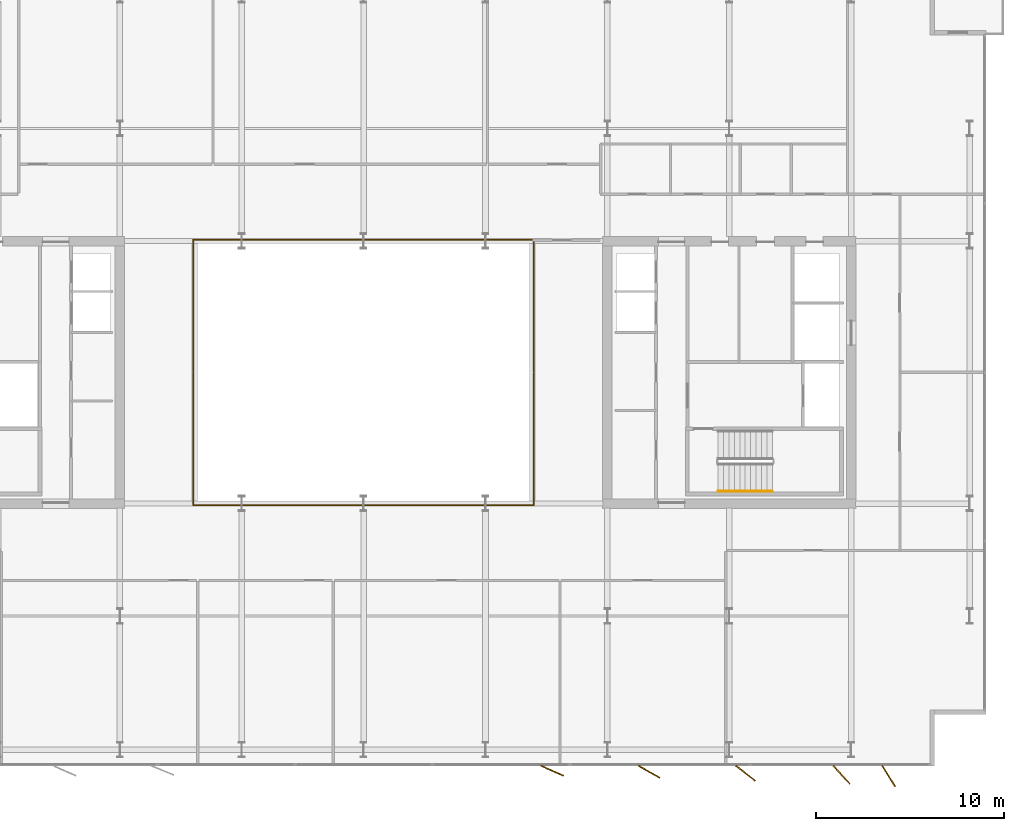
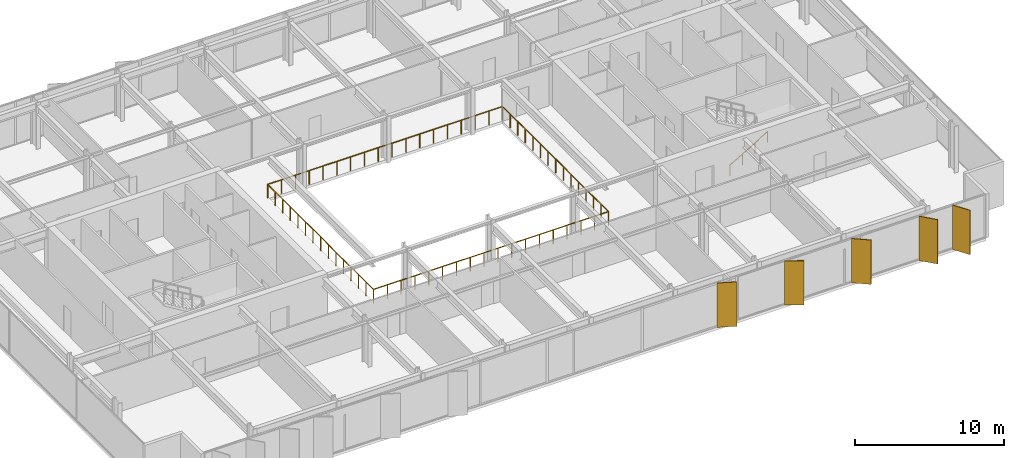
# One storey, part 21 of 23: 5 shading devices, 3 railings.
"""IFC4 building model written with IfcOpenShell, lengths in metres."""

from ifc_helpers import new_model, si_unit, direction, frame, origin, origin_2d, place, context, subcontext, project, spatial, rectangle, circle, extrude, material, layer, layer_set, type_object, element, save


model = new_model("IFC4")

# Units and contexts
model_context = context("Model", 3, precision=1e-05, world=origin(), true_north=direction((0.0, 1.0)))
body_context = subcontext(model_context, "Body", "Model", "MODEL_VIEW")
ifc_project = project(units=[si_unit("LENGTHUNIT", "METRE"), si_unit("AREAUNIT", "SQUARE_METRE"), si_unit("VOLUMEUNIT", "CUBIC_METRE"), si_unit("PLANEANGLEUNIT", "RADIAN"), si_unit("MASSUNIT", "GRAM", prefix="KILO")], contexts=[model_context])

# Site, building, storey
site_placement = place(None, origin())
site = spatial("IfcSite", under=ifc_project, at=site_placement, CompositionType="ELEMENT")
building_placement = place(site_placement, origin())
building = spatial("IfcBuilding", under=site, at=building_placement, Name="Putna Gate Headquarters", CompositionType="ELEMENT")
storey_placement = place(building_placement, frame((0.0, 0.0, 206.199951171875)))
storey = spatial("IfcBuildingStorey", under=building, at=storey_placement, Name="L51", CompositionType="ELEMENT", Elevation=206.199951171875)

# Railings
ifc_material_1 = material(Name="Anodised bronze and laminated glass atrium balustrade", Category="glass")
railing_type_1 = type_object("IfcRailingType", Name="RAIL-ATRIUM-GUARD-1150", PredefinedType="GUARDRAIL", material=ifc_material_1)
railing_1_placement = place(storey_placement, frame((29.919921875, 25.969970703125, 0.0)))
element("IfcRailing", 1, at=railing_1_placement, inside=storey, type_object=railing_type_1, Name="L51 Central Atrium Glazed Balustrade South", PredefinedType="GUARDRAIL", context=body_context, shape_type="SweptSolid", body=[
    extrude(circle(Radius=0.02392578125, at=origin_2d()), frame((0.0, 0.0, 1.1259765625), z_axis=(0.0, -1.0, 0.0), x_axis=(1.0, 0.0, 0.0)), (0.0, 0.0, 1.0), 7.050048828125),
    extrude(circle(Radius=0.02392578125, at=origin_2d()), frame((0.0, -7.050048828125, 1.1259765625), z_axis=(1.0, 0.0, 0.0), x_axis=(0.0, 1.0, 0.0)), (0.0, 0.0, 1.0), 18.16015625),
    extrude(circle(Radius=0.02392578125, at=origin_2d()), frame((18.16015625, -7.050048828125, 1.1259765625), z_axis=(0.0, 1.0, 0.0), x_axis=(-1.0, 0.0, 0.0)), (0.0, 0.0, 1.0), 7.050048828125),
    extrude(circle(Radius=0.02099609375, at=origin_2d()), origin(), (0.0, 0.0, 1.0), 1.101806640625),
    extrude(circle(Radius=0.02099609375, at=origin_2d()), frame((0.0, -1.007080078125, 0.0)), (0.0, 0.0, 1.0), 1.101806640625),
    extrude(circle(Radius=0.02099609375, at=origin_2d()), frame((0.0, -2.014404296875, 0.0)), (0.0, 0.0, 1.0), 1.101806640625),
    extrude(circle(Radius=0.02099609375, at=origin_2d()), frame((0.0, -3.021484375, 0.0)), (0.0, 0.0, 1.0), 1.101806640625),
    extrude(circle(Radius=0.02099609375, at=origin_2d()), frame((0.0, -4.028564453125, 0.0)), (0.0, 0.0, 1.0), 1.101806640625),
    extrude(circle(Radius=0.02099609375, at=origin_2d()), frame((0.0, -5.03564453125, 0.0)), (0.0, 0.0, 1.0), 1.101806640625),
    extrude(circle(Radius=0.02099609375, at=origin_2d()), frame((0.0, -6.04296875, 0.0)), (0.0, 0.0, 1.0), 1.101806640625),
    extrude(circle(Radius=0.02099609375, at=origin_2d()), frame((0.0, -7.050048828125, 0.0)), (0.0, 0.0, 1.0), 1.101806640625),
    extrude(circle(Radius=0.02099609375, at=origin_2d()), frame((1.068359375, -7.050048828125, 0.0)), (0.0, 0.0, 1.0), 1.101806640625),
    extrude(circle(Radius=0.02099609375, at=origin_2d()), frame((2.136474609375, -7.050048828125, 0.0)), (0.0, 0.0, 1.0), 1.101806640625),
    extrude(circle(Radius=0.02099609375, at=origin_2d()), frame((3.204833984375, -7.050048828125, 0.0)), (0.0, 0.0, 1.0), 1.101806640625),
    extrude(circle(Radius=0.02099609375, at=origin_2d()), frame((4.27294921875, -7.050048828125, 0.0)), (0.0, 0.0, 1.0), 1.101806640625),
    extrude(circle(Radius=0.02099609375, at=origin_2d()), frame((5.34130859375, -7.050048828125, 0.0)), (0.0, 0.0, 1.0), 1.101806640625),
    extrude(circle(Radius=0.02099609375, at=origin_2d()), frame((6.409423828125, -7.050048828125, 0.0)), (0.0, 0.0, 1.0), 1.101806640625),
    extrude(circle(Radius=0.02099609375, at=origin_2d()), frame((7.477783203125, -7.050048828125, 0.0)), (0.0, 0.0, 1.0), 1.101806640625),
    extrude(circle(Radius=0.02099609375, at=origin_2d()), frame((8.5458984375, -7.050048828125, 0.0)), (0.0, 0.0, 1.0), 1.101806640625),
    extrude(circle(Radius=0.02099609375, at=origin_2d()), frame((9.6142578125, -7.050048828125, 0.0)), (0.0, 0.0, 1.0), 1.101806640625),
    extrude(circle(Radius=0.02099609375, at=origin_2d()), frame((10.682373046875, -7.050048828125, 0.0)), (0.0, 0.0, 1.0), 1.101806640625),
    extrude(circle(Radius=0.02099609375, at=origin_2d()), frame((11.750732421875, -7.050048828125, 0.0)), (0.0, 0.0, 1.0), 1.101806640625),
    extrude(circle(Radius=0.02099609375, at=origin_2d()), frame((12.81884765625, -7.050048828125, 0.0)), (0.0, 0.0, 1.0), 1.101806640625),
    extrude(circle(Radius=0.02099609375, at=origin_2d()), frame((13.88720703125, -7.050048828125, 0.0)), (0.0, 0.0, 1.0), 1.101806640625),
    extrude(circle(Radius=0.02099609375, at=origin_2d()), frame((14.955322265625, -7.050048828125, 0.0)), (0.0, 0.0, 1.0), 1.101806640625),
    extrude(circle(Radius=0.02099609375, at=origin_2d()), frame((16.023681640625, -7.050048828125, 0.0)), (0.0, 0.0, 1.0), 1.101806640625),
    extrude(circle(Radius=0.02099609375, at=origin_2d()), frame((17.091796875, -7.050048828125, 0.0)), (0.0, 0.0, 1.0), 1.101806640625),
    extrude(circle(Radius=0.02099609375, at=origin_2d()), frame((18.16015625, -7.050048828125, 0.0)), (0.0, 0.0, 1.0), 1.101806640625),
    extrude(circle(Radius=0.02099609375, at=origin_2d()), frame((18.16015625, -6.04296875, 0.0)), (0.0, 0.0, 1.0), 1.101806640625),
    extrude(circle(Radius=0.02099609375, at=origin_2d()), frame((18.16015625, -5.03564453125, 0.0)), (0.0, 0.0, 1.0), 1.101806640625),
    extrude(circle(Radius=0.02099609375, at=origin_2d()), frame((18.16015625, -4.028564453125, 0.0)), (0.0, 0.0, 1.0), 1.101806640625),
    extrude(circle(Radius=0.02099609375, at=origin_2d()), frame((18.16015625, -3.021484375, 0.0)), (0.0, 0.0, 1.0), 1.101806640625),
    extrude(circle(Radius=0.02099609375, at=origin_2d()), frame((18.16015625, -2.014404296875, 0.0)), (0.0, 0.0, 1.0), 1.101806640625),
    extrude(circle(Radius=0.02099609375, at=origin_2d()), frame((18.16015625, -1.007080078125, 0.0)), (0.0, 0.0, 1.0), 1.101806640625),
    extrude(circle(Radius=0.02099609375, at=origin_2d()), frame((18.16015625, 0.0, 0.0)), (0.0, 0.0, 1.0), 1.101806640625),
])
railing_2_placement = place(storey_placement, frame((48.080078125, 26.030029296875, 0.0)))
element("IfcRailing", 2, at=railing_2_placement, inside=storey, type_object=railing_type_1, Name="L51 Central Atrium Glazed Balustrade North", PredefinedType="GUARDRAIL", context=body_context, shape_type="SweptSolid", body=[
    extrude(circle(Radius=0.02392578125, at=origin_2d()), frame((0.0, 0.0, 1.1259765625), z_axis=(0.0, 1.0, 0.0), x_axis=(-1.0, 0.0, 0.0)), (0.0, 0.0, 1.0), 7.050048828125),
    extrude(circle(Radius=0.02392578125, at=origin_2d()), frame((0.0, 7.050048828125, 1.1259765625), z_axis=(-1.0, 0.0, 0.0), x_axis=(0.0, -1.0, 0.0)), (0.0, 0.0, 1.0), 18.16015625),
    extrude(circle(Radius=0.02392578125, at=origin_2d()), frame((-18.16015625, 7.050048828125, 1.1259765625), z_axis=(0.0, -1.0, 0.0), x_axis=(1.0, 0.0, 0.0)), (0.0, 0.0, 1.0), 7.050048828125),
    extrude(circle(Radius=0.02099609375, at=origin_2d()), origin(), (0.0, 0.0, 1.0), 1.101806640625),
    extrude(circle(Radius=0.02099609375, at=origin_2d()), frame((0.0, 1.007080078125, 0.0)), (0.0, 0.0, 1.0), 1.101806640625),
    extrude(circle(Radius=0.02099609375, at=origin_2d()), frame((0.0, 2.014404296875, 0.0)), (0.0, 0.0, 1.0), 1.101806640625),
    extrude(circle(Radius=0.02099609375, at=origin_2d()), frame((0.0, 3.021484375, 0.0)), (0.0, 0.0, 1.0), 1.101806640625),
    extrude(circle(Radius=0.02099609375, at=origin_2d()), frame((0.0, 4.028564453125, 0.0)), (0.0, 0.0, 1.0), 1.101806640625),
    extrude(circle(Radius=0.02099609375, at=origin_2d()), frame((0.0, 5.03564453125, 0.0)), (0.0, 0.0, 1.0), 1.101806640625),
    extrude(circle(Radius=0.02099609375, at=origin_2d()), frame((0.0, 6.04296875, 0.0)), (0.0, 0.0, 1.0), 1.101806640625),
    extrude(circle(Radius=0.02099609375, at=origin_2d()), frame((0.0, 7.050048828125, 0.0)), (0.0, 0.0, 1.0), 1.101806640625),
    extrude(circle(Radius=0.02099609375, at=origin_2d()), frame((-1.068359375, 7.050048828125, 0.0)), (0.0, 0.0, 1.0), 1.101806640625),
    extrude(circle(Radius=0.02099609375, at=origin_2d()), frame((-2.136474609375, 7.050048828125, 0.0)), (0.0, 0.0, 1.0), 1.101806640625),
    extrude(circle(Radius=0.02099609375, at=origin_2d()), frame((-3.204833984375, 7.050048828125, 0.0)), (0.0, 0.0, 1.0), 1.101806640625),
    extrude(circle(Radius=0.02099609375, at=origin_2d()), frame((-4.27294921875, 7.050048828125, 0.0)), (0.0, 0.0, 1.0), 1.101806640625),
    extrude(circle(Radius=0.02099609375, at=origin_2d()), frame((-5.34130859375, 7.050048828125, 0.0)), (0.0, 0.0, 1.0), 1.101806640625),
    extrude(circle(Radius=0.02099609375, at=origin_2d()), frame((-6.409423828125, 7.050048828125, 0.0)), (0.0, 0.0, 1.0), 1.101806640625),
    extrude(circle(Radius=0.02099609375, at=origin_2d()), frame((-7.477783203125, 7.050048828125, 0.0)), (0.0, 0.0, 1.0), 1.101806640625),
    extrude(circle(Radius=0.02099609375, at=origin_2d()), frame((-8.5458984375, 7.050048828125, 0.0)), (0.0, 0.0, 1.0), 1.101806640625),
    extrude(circle(Radius=0.02099609375, at=origin_2d()), frame((-9.6142578125, 7.050048828125, 0.0)), (0.0, 0.0, 1.0), 1.101806640625),
    extrude(circle(Radius=0.02099609375, at=origin_2d()), frame((-10.682373046875, 7.050048828125, 0.0)), (0.0, 0.0, 1.0), 1.101806640625),
    extrude(circle(Radius=0.02099609375, at=origin_2d()), frame((-11.750732421875, 7.050048828125, 0.0)), (0.0, 0.0, 1.0), 1.101806640625),
    extrude(circle(Radius=0.02099609375, at=origin_2d()), frame((-12.81884765625, 7.050048828125, 0.0)), (0.0, 0.0, 1.0), 1.101806640625),
    extrude(circle(Radius=0.02099609375, at=origin_2d()), frame((-13.88720703125, 7.050048828125, 0.0)), (0.0, 0.0, 1.0), 1.101806640625),
    extrude(circle(Radius=0.02099609375, at=origin_2d()), frame((-14.955322265625, 7.050048828125, 0.0)), (0.0, 0.0, 1.0), 1.101806640625),
    extrude(circle(Radius=0.02099609375, at=origin_2d()), frame((-16.023681640625, 7.050048828125, 0.0)), (0.0, 0.0, 1.0), 1.101806640625),
    extrude(circle(Radius=0.02099609375, at=origin_2d()), frame((-17.091796875, 7.050048828125, 0.0)), (0.0, 0.0, 1.0), 1.101806640625),
    extrude(circle(Radius=0.02099609375, at=origin_2d()), frame((-18.16015625, 7.050048828125, 0.0)), (0.0, 0.0, 1.0), 1.101806640625),
    extrude(circle(Radius=0.02099609375, at=origin_2d()), frame((-18.16015625, 6.04296875, 0.0)), (0.0, 0.0, 1.0), 1.101806640625),
    extrude(circle(Radius=0.02099609375, at=origin_2d()), frame((-18.16015625, 5.03564453125, 0.0)), (0.0, 0.0, 1.0), 1.101806640625),
    extrude(circle(Radius=0.02099609375, at=origin_2d()), frame((-18.16015625, 4.028564453125, 0.0)), (0.0, 0.0, 1.0), 1.101806640625),
    extrude(circle(Radius=0.02099609375, at=origin_2d()), frame((-18.16015625, 3.021484375, 0.0)), (0.0, 0.0, 1.0), 1.101806640625),
    extrude(circle(Radius=0.02099609375, at=origin_2d()), frame((-18.16015625, 2.014404296875, 0.0)), (0.0, 0.0, 1.0), 1.101806640625),
    extrude(circle(Radius=0.02099609375, at=origin_2d()), frame((-18.16015625, 1.007080078125, 0.0)), (0.0, 0.0, 1.0), 1.101806640625),
    extrude(circle(Radius=0.02099609375, at=origin_2d()), frame((-18.16015625, 0.0, 0.0)), (0.0, 0.0, 1.0), 1.101806640625),
])
ifc_material_2 = material(Name="Brushed stainless steel handrail", Category="steel")
railing_type_2 = type_object("IfcRailingType", Name="RAIL-STAIR-HAND-900", PredefinedType="HANDRAIL", material=ifc_material_2)
railing_3_placement = place(storey_placement, frame((57.89990234375, 19.64990234375, 0.1728515625)))
element("IfcRailing", 3, at=railing_3_placement, inside=storey, type_object=railing_type_2, Name="L51 ST2 stair handrail 1", PredefinedType="HANDRAIL", context=body_context, shape_type="SweptSolid", body=[
    extrude(circle(Radius=0.02392578125, at=origin_2d()), frame((0.0, 0.0, 0.8759765625), z_axis=(0.859160404282, 0.0, 0.51170636083), x_axis=(0.0, 1.0, 0.0)), (0.0, 0.0, 1.0), 3.37548828125),
    extrude(circle(Radius=0.02099609375, at=origin_2d()), origin(), (0.0, 0.0, 1.0), 0.851806640625),
    extrude(circle(Radius=0.02099609375, at=origin_2d()), frame((0.966796875, 0.0, 0.57568359375)), (0.0, 0.0, 1.0), 0.851806640625),
    extrude(circle(Radius=0.02099609375, at=origin_2d()), frame((1.933349609375, 0.0, 1.151611328125)), (0.0, 0.0, 1.0), 0.851806640625),
    extrude(circle(Radius=0.02099609375, at=origin_2d()), frame((2.900146484375, 0.0, 1.727294921875)), (0.0, 0.0, 1.0), 0.851806640625),
])

# Shading devices
ifc_material_3 = material(Name="Anodised architectural bronze aluminium fin", Category="aluminium")
ifc_layer = layer(ifc_material_3, 0.06494140625)
ifc_layer_set = layer_set([ifc_layer], Name="Anodised architectural bronze aluminium fin")
shading_device_type = type_object("IfcShadingDeviceType", Name="SHADE-BRONZE-FIN-1320", PredefinedType="USERDEFINED", material=ifc_layer_set)
for number, where, z_axis, x_axis, name in (
    (4, (49.052978515625, 4.7568359375, -0.02001953125), (0.0, 0.0, 1.0), (0.913687379856, -0.40641773078, 0.0), "L51 Bronze Vertical Shading Fin S7"),
    (5, (54.223876953125, 4.69873046875, -0.02001953125), (0.0, 0.0, 1.0), (0.869322458298, -0.494245347472, 0.0), "L51 Bronze Vertical Shading Fin S8"),
    (6, (59.36962890625, 4.6181640625, -0.02001953125), (0.0, 0.0, 1.0), (0.787473187632, -0.616348909921, 0.0), "L51 Bronze Vertical Shading Fin S9"),
    (7, (64.49169921875, 4.534423828125, -0.02001953125), (0.0, 0.0, 1.0), (0.669130606359, -0.743144825477, 0.0), "L51 Bronze Vertical Shading Fin S10"),
    (8, (67.000244140625, 4.465576171875, -0.02001953125), (0.0, 0.0, 1.0), (0.530659123936, -0.847585331506, 0.0), "L51 Bronze Vertical Shading Fin S11"),
):
    element("IfcShadingDevice", number, at=place(storey_placement, frame(where, z_axis=z_axis, x_axis=x_axis)), inside=storey, type_object=shading_device_type, Name=name, ObjectType="FIN", PredefinedType="USERDEFINED", context=body_context, shape_type="SweptSolid", body=[
        extrude(rectangle(XDim=1.320068359375, YDim=0.06494140625, at=origin_2d()), origin(), (0.0, 0.0, 1.0), 3.6201171875),
    ])

save(model, "model.ifc")
